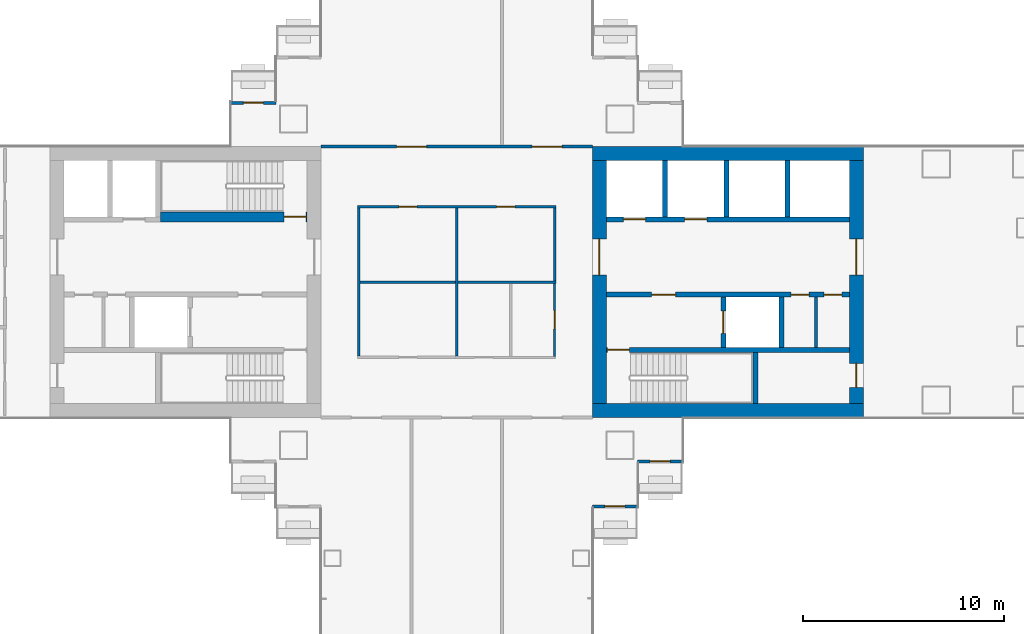
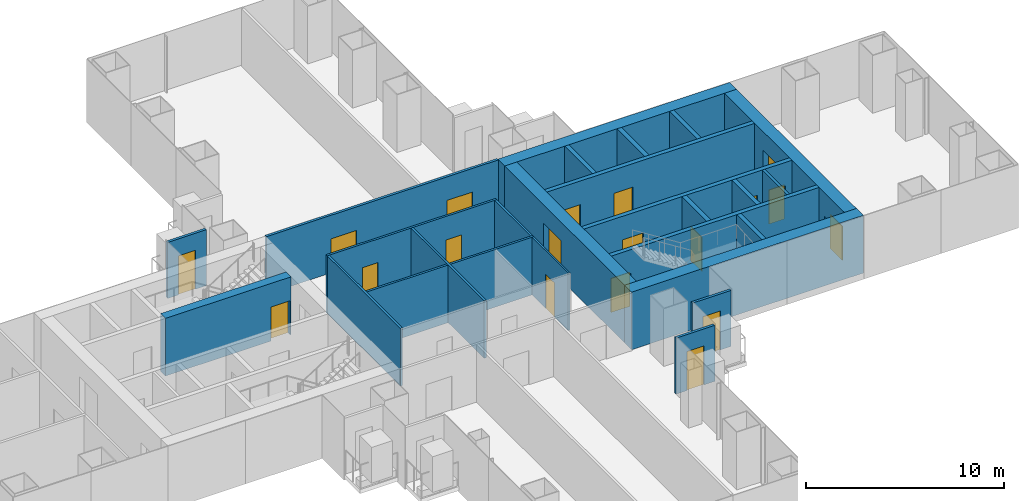
# One storey, part 14 of 21: 25 walls, 19 doors, 19 openings.
"""IFC4 building model written with IfcOpenShell, lengths in metres."""

from ifc_helpers import new_model, si_unit, direction, frame, frame_2d, origin, place, context, subcontext, project, spatial, rectangle, extrude, material, layer, layer_set, type_object, element, fill, save


model = new_model("IFC4")

# Units and contexts
model_context = context("Model", 3, precision=1e-05, world=origin(), true_north=direction((0.0, 1.0)))
body_context = subcontext(model_context, "Body", "Model", "MODEL_VIEW")
ifc_project = project(units=[si_unit("LENGTHUNIT", "METRE"), si_unit("AREAUNIT", "SQUARE_METRE"), si_unit("VOLUMEUNIT", "CUBIC_METRE"), si_unit("PLANEANGLEUNIT", "RADIAN"), si_unit("MASSUNIT", "GRAM", prefix="KILO")], contexts=[model_context])

# Site, building, storey
site_placement = place(None, origin())
site = spatial("IfcSite", under=ifc_project, at=site_placement, CompositionType="ELEMENT")
building_placement = place(site_placement, origin())
building = spatial("IfcBuilding", under=site, at=building_placement, Name="Shamsa Quay Exchange Towers", CompositionType="ELEMENT")
storey_placement = place(building_placement, frame((0.0, 0.0, 45.89990234375)))
storey = spatial("IfcBuildingStorey", under=building, at=storey_placement, Name="L09", CompositionType="ELEMENT", Elevation=45.89990234375)

# Wall, opening, door
ifc_material_1 = material(Name="Aluminium EN AW-6063 T6, black anodised, with black enamelled glass infill", Category="aluminium")
ifc_layer_1 = layer(ifc_material_1, 0.14990234375)
ifc_layer_set_1 = layer_set([ifc_layer_1], Name="BALCONY DOOR BAY WALL 150")
wall_type_1 = type_object("IfcWallType", Name="BALCONY DOOR BAY WALL 150", PredefinedType="SOLIDWALL", material=ifc_layer_set_1)
wall_1_placement = place(storey_placement, frame((-22.5, -8.925048828125, 0.0), z_axis=(0.0, 0.0, 1.0), x_axis=(-1.0, 0.0, 0.0)))
wall_1 = element("IfcWall", 1, at=wall_1_placement, inside=storey, type_object=wall_type_1, Name="Door bay T1-PKES L09", PredefinedType="SOLIDWALL", context=body_context, shape_type="SweptSolid", body=[
    extrude(rectangle(XDim=2.25, YDim=0.14990234375, at=frame_2d((1.125, 0.0))), origin(), (0.0, 0.0, 1.0), 3.4501953125),
])
opening_1_placement = place(wall_1_placement, frame((0.625, 0.0, 0.0)))
opening_1 = element("IfcOpeningElement", 2, at=opening_1_placement, cuts=wall_1, Name="Opening XD051", PredefinedType="OPENING", context=body_context, shape_type="SweptSolid", body=[
    extrude(rectangle(XDim=1.0, YDim=2.39990234375, at=frame_2d((0.5, 1.199951171875))), frame((0.0, 0.0849609375, 0.0), z_axis=(0.0, -1.0, 0.0), x_axis=(1.0, 0.0, 0.0)), (0.0, 0.0, 1.0), 0.169921875),
])
ifc_material_2 = material(Name="Aluminium EN AW-6063 T6, black anodised, with laminated glass leaf", Category="aluminium")
door_type_1 = type_object("IfcDoorType", Name="BALCONY DOOR 1000x2400", OperationType="SINGLE_SWING_LEFT", PredefinedType="DOOR", material=ifc_material_2)
door_1_placement = place(opening_1_placement, origin())
door_1 = element("IfcDoor", 3, at=door_1_placement, inside=storey, type_object=door_type_1, Name="Balcony door T1-PKES L09", OperationType="SINGLE_SWING_RIGHT", OverallHeight=2.39990234375, OverallWidth=1.0, PredefinedType="DOOR", context=body_context, shape_type="SweptSolid", body=[
    extrude(rectangle(XDim=1.0, YDim=2.39990234375, at=frame_2d((0.5, 1.199951171875))), frame((0.0, 0.02490234375, 0.0), z_axis=(0.0, -1.0, 0.0), x_axis=(1.0, 0.0, 0.0)), (0.0, 0.0, 1.0), 0.050048828125),
])
fill(opening_1, door_1)

wall_2_placement = place(storey_placement, frame((-24.75, -11.175048828125, 0.0), z_axis=(0.0, 0.0, 1.0), x_axis=(-1.0, 0.0, 0.0)))
wall_2 = element("IfcWall", 4, at=wall_2_placement, inside=storey, type_object=wall_type_1, Name="Door bay T1-PKES L09", PredefinedType="SOLIDWALL", context=body_context, shape_type="SweptSolid", body=[
    extrude(rectangle(XDim=2.25, YDim=0.14990234375, at=frame_2d((1.125, 0.0))), origin(), (0.0, 0.0, 1.0), 3.4501953125),
])
opening_2_placement = place(wall_2_placement, frame((0.625, 0.0, 0.0)))
opening_2 = element("IfcOpeningElement", 5, at=opening_2_placement, cuts=wall_2, Name="Opening XD052", PredefinedType="OPENING", context=body_context, shape_type="SweptSolid", body=[
    extrude(rectangle(XDim=1.0, YDim=2.39990234375, at=frame_2d((0.5, 1.199951171875))), frame((0.0, 0.0849609375, 0.0), z_axis=(0.0, -1.0, 0.0), x_axis=(1.0, 0.0, 0.0)), (0.0, 0.0, 1.0), 0.169921875),
])
door_2_placement = place(opening_2_placement, origin())
door_2 = element("IfcDoor", 6, at=door_2_placement, inside=storey, type_object=door_type_1, Name="Balcony door T1-PKES L09", OperationType="SINGLE_SWING_LEFT", OverallHeight=2.39990234375, OverallWidth=1.0, PredefinedType="DOOR", context=body_context, shape_type="SweptSolid", body=[
    extrude(rectangle(XDim=1.0, YDim=2.39990234375, at=frame_2d((0.5, 1.199951171875))), frame((0.0, 0.02490234375, 0.0), z_axis=(0.0, -1.0, 0.0), x_axis=(1.0, 0.0, 0.0)), (0.0, 0.0, 1.0), 0.050048828125),
])
fill(opening_2, door_2)

wall_3_placement = place(storey_placement, frame((-45.0, 8.925048828125, 0.0)))
wall_3 = element("IfcWall", 7, at=wall_3_placement, inside=storey, type_object=wall_type_1, Name="Door bay T1-PKWN L09", PredefinedType="SOLIDWALL", context=body_context, shape_type="SweptSolid", body=[
    extrude(rectangle(XDim=2.25, YDim=0.14990234375, at=frame_2d((1.125, 0.0))), origin(), (0.0, 0.0, 1.0), 3.4501953125),
])
opening_3_placement = place(wall_3_placement, frame((0.625, 0.0, 0.0)))
opening_3 = element("IfcOpeningElement", 8, at=opening_3_placement, cuts=wall_3, Name="Opening XD054", PredefinedType="OPENING", context=body_context, shape_type="SweptSolid", body=[
    extrude(rectangle(XDim=1.0, YDim=2.39990234375, at=frame_2d((0.5, 1.199951171875))), frame((0.0, 0.0849609375, 0.0), z_axis=(0.0, -1.0, 0.0), x_axis=(1.0, 0.0, 0.0)), (0.0, 0.0, 1.0), 0.169921875),
])
door_3_placement = place(opening_3_placement, origin())
door_3 = element("IfcDoor", 9, at=door_3_placement, inside=storey, type_object=door_type_1, Name="Balcony door T1-PKWN L09", OperationType="SINGLE_SWING_RIGHT", OverallHeight=2.39990234375, OverallWidth=1.0, PredefinedType="DOOR", context=body_context, shape_type="SweptSolid", body=[
    extrude(rectangle(XDim=1.0, YDim=2.39990234375, at=frame_2d((0.5, 1.199951171875))), frame((0.0, 0.02490234375, 0.0), z_axis=(0.0, -1.0, 0.0), x_axis=(1.0, 0.0, 0.0)), (0.0, 0.0, 1.0), 0.050048828125),
])
fill(opening_3, door_3)

# Walls
ifc_material_3 = material(Name="Concrete C80/95", Category="concrete")
ifc_layer_2 = layer(ifc_material_3, 0.699951171875)
ifc_layer_set_2 = layer_set([ifc_layer_2], Name="CORE WALL 700 C80/95")
wall_type_2 = type_object("IfcWallType", Name="CORE WALL 700 C80/95", PredefinedType="SHEAR", material=ifc_layer_set_2)
for number, where, name in (
    (10, (-27.0, -6.39990234375, 0.0), "Core wall T1A-R03-PS"),
    (11, (-27.0, 6.39990234375, 0.0), "Core wall T1A-R03-PN"),
):
    element("IfcWall", number, at=place(storey_placement, frame(where)), inside=storey, type_object=wall_type_2, Name=name, PredefinedType="SHEAR", context=body_context, shape_type="SweptSolid", body=[
        extrude(rectangle(XDim=13.5, YDim=0.699951171875, at=frame_2d((6.75, 0.0))), origin(), (0.0, 0.0, 1.0), 3.550048828125),
    ])

# Wall, opening, door
wall_4_placement = place(storey_placement, frame((-26.64990234375, 6.050048828125, 0.0), z_axis=(0.0, 0.0, 1.0), x_axis=(0.0, -1.0, 0.0)))
wall_4 = element("IfcWall", 12, at=wall_4_placement, inside=storey, type_object=wall_type_2, Name="Core wall T1A-R03-PF", PredefinedType="SHEAR", context=body_context, shape_type="SweptSolid", body=[
    extrude(rectangle(XDim=12.10009765625, YDim=0.699951171875, at=frame_2d((6.050048828125, 0.0))), origin(), (0.0, 0.0, 1.0), 3.550048828125),
])
opening_4_placement = place(wall_4_placement, frame((3.89990234375, 0.0, 0.0)))
opening_4 = element("IfcOpeningElement", 13, at=opening_4_placement, cuts=wall_4, Name="Opening T1A-R03-LBD01", PredefinedType="OPENING", context=body_context, shape_type="SweptSolid", body=[
    extrude(rectangle(XDim=1.800048828125, YDim=2.39990234375, at=frame_2d((0.89990234375, 1.199951171875))), frame((0.0, 0.35986328125, 0.0), z_axis=(0.0, -1.0, 0.0), x_axis=(1.0, 0.0, 0.0)), (0.0, 0.0, 1.0), 0.719970703125),
])
ifc_material_4 = material(Name="Steel, fire rated", Category="steel")
door_type_2 = type_object("IfcDoorType", Name="LIFT LOBBY DOOR PAIR 1800", OperationType="DOUBLE_DOOR_SINGLE_SWING", PredefinedType="DOOR", material=ifc_material_4)
door_4_placement = place(opening_4_placement, origin())
door_4 = element("IfcDoor", 14, at=door_4_placement, inside=storey, type_object=door_type_2, Name="T1A-R03-LBD01", OperationType="DOUBLE_DOOR_SINGLE_SWING", OverallHeight=2.39990234375, OverallWidth=1.800048828125, PredefinedType="DOOR", context=body_context, shape_type="SweptSolid", body=[
    extrude(rectangle(XDim=1.800048828125, YDim=2.39990234375, at=frame_2d((0.89990234375, 1.199951171875))), frame((0.0, 0.02490234375, 0.0), z_axis=(0.0, -1.0, 0.0), x_axis=(1.0, 0.0, 0.0)), (0.0, 0.0, 1.0), 0.050048828125),
])
fill(opening_4, door_4)

# Wall, openings, doors
wall_5_placement = place(storey_placement, frame((-13.85009765625, 6.050048828125, 0.0), z_axis=(0.0, 0.0, 1.0), x_axis=(0.0, -1.0, 0.0)))
wall_5 = element("IfcWall", 15, at=wall_5_placement, inside=storey, type_object=wall_type_2, Name="Core wall T1A-R03-PB", PredefinedType="SHEAR", context=body_context, shape_type="SweptSolid", body=[
    extrude(rectangle(XDim=12.10009765625, YDim=0.699951171875, at=frame_2d((6.050048828125, 0.0))), origin(), (0.0, 0.0, 1.0), 3.550048828125),
])
opening_5_placement = place(wall_5_placement, frame((10.10009765625, 0.0, 0.0)))
opening_5 = element("IfcOpeningElement", 16, at=opening_5_placement, cuts=wall_5, Name="Opening T1A-R03-RD02", PredefinedType="OPENING", context=body_context, shape_type="SweptSolid", body=[
    extrude(rectangle(XDim=1.199951171875, YDim=2.10009765625, at=frame_2d((0.60009765625, 1.050048828125))), frame((0.0, 0.35986328125, 0.0), z_axis=(0.0, -1.0, 0.0), x_axis=(1.0, 0.0, 0.0)), (0.0, 0.0, 1.0), 0.719970703125),
])
opening_6_placement = place(wall_5_placement, frame((3.89990234375, 0.0, 0.0)))
opening_6 = element("IfcOpeningElement", 17, at=opening_6_placement, cuts=wall_5, Name="Opening T1A-R03-LBD03", PredefinedType="OPENING", context=body_context, shape_type="SweptSolid", body=[
    extrude(rectangle(XDim=1.800048828125, YDim=2.39990234375, at=frame_2d((0.89990234375, 1.199951171875))), frame((0.0, 0.35986328125, 0.0), z_axis=(0.0, -1.0, 0.0), x_axis=(1.0, 0.0, 0.0)), (0.0, 0.0, 1.0), 0.719970703125),
])
door_5_placement = place(opening_6_placement, origin())
door_5 = element("IfcDoor", 18, at=door_5_placement, inside=storey, type_object=door_type_2, Name="T1A-R03-LBD03", OperationType="DOUBLE_DOOR_SINGLE_SWING", OverallHeight=2.39990234375, OverallWidth=1.800048828125, PredefinedType="DOOR", context=body_context, shape_type="SweptSolid", body=[
    extrude(rectangle(XDim=1.800048828125, YDim=2.39990234375, at=frame_2d((0.89990234375, 1.199951171875))), frame((0.0, 0.02490234375, 0.0), z_axis=(0.0, -1.0, 0.0), x_axis=(1.0, 0.0, 0.0)), (0.0, 0.0, 1.0), 0.050048828125),
])
fill(opening_6, door_5)
door_type_3 = type_object("IfcDoorType", Name="RISER ACCESS DOOR 1200", OperationType="SINGLE_SWING_LEFT", PredefinedType="DOOR", material=ifc_material_4)
door_6_placement = place(opening_5_placement, origin())
door_6 = element("IfcDoor", 19, at=door_6_placement, inside=storey, type_object=door_type_3, Name="T1A-R03-RD02", OperationType="SINGLE_SWING_RIGHT", OverallHeight=2.10009765625, OverallWidth=1.199951171875, PredefinedType="DOOR", context=body_context, shape_type="SweptSolid", body=[
    extrude(rectangle(XDim=1.199951171875, YDim=2.10009765625, at=frame_2d((0.60009765625, 1.050048828125))), frame((0.0, 0.02490234375, 0.0), z_axis=(0.0, -1.0, 0.0), x_axis=(1.0, 0.0, 0.0)), (0.0, 0.0, 1.0), 0.050048828125),
])
fill(opening_5, door_6)

# Walls
ifc_material_5 = material(Name="Gypsum board on steel studs, EI 60", Category="steel")
ifc_layer_3 = layer(ifc_material_5, 0.14990234375)
ifc_layer_set_3 = layer_set([ifc_layer_3], Name="FIRE PARTITION 150")
wall_type_3 = type_object("IfcWallType", Name="FIRE PARTITION 150", PredefinedType="PARTITIONING", material=ifc_layer_set_3)
wall_6_placement = place(storey_placement, frame((-15.85009765625, -3.25, 0.0), z_axis=(0.0, 0.0, 1.0), x_axis=(0.0, 1.0, 0.0)))
element("IfcWall", 20, at=wall_6_placement, inside=storey, type_object=wall_type_3, Name="Partition T1A-R03-EC0", PredefinedType="PARTITIONING", context=body_context, shape_type="SweptSolid", body=[
    extrude(rectangle(XDim=2.5, YDim=0.14990234375, at=frame_2d((1.25, 0.0))), origin(), (0.0, 0.0, 1.0), 3.550048828125),
])
ifc_material_6 = material(Name="Laminated fire-resisting glass in a metal frame", Category="glass")
ifc_layer_4 = layer(ifc_material_6, 0.125)
ifc_layer_set_4 = layer_set([ifc_layer_4], Name="Glazed partition 125 mm EI 60")
wall_type_4 = type_object("IfcWallType", Name="Glazed partition 125 mm EI 60", PredefinedType="PARTITIONING", material=ifc_layer_set_4)
wall_7_placement = place(storey_placement, frame((-28.875, 0.0625, 0.0), z_axis=(0.0, 0.0, 1.0), x_axis=(0.0, 1.0, 0.0)))
element("IfcWall", 21, at=wall_7_placement, inside=storey, type_object=wall_type_4, Name="Partition T1-R03-W01", PredefinedType="PARTITIONING", context=body_context, shape_type="SweptSolid", body=[
    extrude(rectangle(XDim=3.625, YDim=0.125, at=frame_2d((1.8125, 0.0))), origin(), (0.0, 0.0, 1.0), 3.550048828125),
])

# Wall, openings, doors
wall_8_placement = place(storey_placement, frame((-28.8125, 3.75, 0.0), z_axis=(0.0, 0.0, 1.0), x_axis=(-1.0, 0.0, 0.0)))
wall_8 = element("IfcWall", 22, at=wall_8_placement, inside=storey, type_object=wall_type_4, Name="Partition T1-R03-W02", PredefinedType="PARTITIONING", context=body_context, shape_type="SweptSolid", body=[
    extrude(rectangle(XDim=9.875, YDim=0.125, at=frame_2d((4.9375, 0.0))), origin(), (0.0, 0.0, 1.0), 3.550048828125),
])
opening_7_placement = place(wall_8_placement, frame((2.050048828125, 0.0, 0.0)))
opening_7 = element("IfcOpeningElement", 23, at=opening_7_placement, cuts=wall_8, Name="Opening T1-R03-D09", PredefinedType="OPENING", context=body_context, shape_type="SweptSolid", body=[
    extrude(rectangle(XDim=0.89990234375, YDim=2.10009765625, at=frame_2d((0.449951171875, 1.050048828125))), frame((0.0, 0.072509765625, 0.0), z_axis=(0.0, -1.0, 0.0), x_axis=(1.0, 0.0, 0.0)), (0.0, 0.0, 1.0), 0.14501953125),
])
opening_8_placement = place(wall_8_placement, frame((6.925048828125, 0.0, 0.0)))
opening_8 = element("IfcOpeningElement", 24, at=opening_8_placement, cuts=wall_8, Name="Opening T1-R03-D10", PredefinedType="OPENING", context=body_context, shape_type="SweptSolid", body=[
    extrude(rectangle(XDim=0.89990234375, YDim=2.10009765625, at=frame_2d((0.449951171875, 1.050048828125))), frame((0.0, 0.072509765625, 0.0), z_axis=(0.0, -1.0, 0.0), x_axis=(1.0, 0.0, 0.0)), (0.0, 0.0, 1.0), 0.14501953125),
])
ifc_material_7 = material(Name="Timber door leaf in a metal frame", Category="wood")
door_type_4 = type_object("IfcDoorType", Name="Door 900x2100 FD30S", OperationType="NOTDEFINED", PredefinedType="DOOR", material=ifc_material_7)
door_7_placement = place(opening_7_placement, origin())
door_7 = element("IfcDoor", 25, at=door_7_placement, inside=storey, type_object=door_type_4, Name="Door T1-R03-D09", OperationType="SINGLE_SWING_RIGHT", OverallHeight=2.10009765625, OverallWidth=0.89990234375, PredefinedType="DOOR", context=body_context, shape_type="SweptSolid", body=[
    extrude(rectangle(XDim=0.89990234375, YDim=2.10009765625, at=frame_2d((0.449951171875, 1.050048828125))), frame((0.0, 0.02490234375, 0.0), z_axis=(0.0, -1.0, 0.0), x_axis=(1.0, 0.0, 0.0)), (0.0, 0.0, 1.0), 0.050048828125),
])
fill(opening_7, door_7)
door_8_placement = place(opening_8_placement, origin())
door_8 = element("IfcDoor", 26, at=door_8_placement, inside=storey, type_object=door_type_4, Name="Door T1-R03-D10", OperationType="SINGLE_SWING_RIGHT", OverallHeight=2.10009765625, OverallWidth=0.89990234375, PredefinedType="DOOR", context=body_context, shape_type="SweptSolid", body=[
    extrude(rectangle(XDim=0.89990234375, YDim=2.10009765625, at=frame_2d((0.449951171875, 1.050048828125))), frame((0.0, 0.02490234375, 0.0), z_axis=(0.0, -1.0, 0.0), x_axis=(1.0, 0.0, 0.0)), (0.0, 0.0, 1.0), 0.050048828125),
])
fill(opening_8, door_8)

# Walls
wall_9_placement = place(storey_placement, frame((-38.625, 3.6875, 0.0), z_axis=(0.0, 0.0, 1.0), x_axis=(0.0, -1.0, 0.0)))
element("IfcWall", 27, at=wall_9_placement, inside=storey, type_object=wall_type_4, Name="Partition T1-R03-W05", PredefinedType="PARTITIONING", context=body_context, shape_type="SweptSolid", body=[
    extrude(rectangle(XDim=7.375, YDim=0.125, at=frame_2d((3.6875, 0.0))), origin(), (0.0, 0.0, 1.0), 3.550048828125),
])
wall_10_placement = place(storey_placement, frame((-38.5625, 0.0, 0.0)))
element("IfcWall", 28, at=wall_10_placement, inside=storey, type_object=wall_type_4, Name="Partition T1-R03-W11", PredefinedType="PARTITIONING", context=body_context, shape_type="SweptSolid", body=[
    extrude(rectangle(XDim=9.75, YDim=0.125, at=frame_2d((4.875, 0.0))), origin(), (0.0, 0.0, 1.0), 3.550048828125),
])
wall_11_placement = place(storey_placement, frame((-33.75, 3.6875, 0.0), z_axis=(0.0, 0.0, 1.0), x_axis=(0.0, -1.0, 0.0)))
element("IfcWall", 29, at=wall_11_placement, inside=storey, type_object=wall_type_4, Name="Partition T1-R03-W12", PredefinedType="PARTITIONING", context=body_context, shape_type="SweptSolid", body=[
    extrude(rectangle(XDim=7.375, YDim=0.125, at=frame_2d((3.6875, 0.0))), origin(), (0.0, 0.0, 1.0), 3.550048828125),
])

# Wall, opening, door
ifc_material_8 = material(Name="Gypsum board partition on metal studs")
ifc_layer_5 = layer(ifc_material_8, 0.10009765625)
ifc_layer_set_5 = layer_set([ifc_layer_5], Name="Partition 100 mm NOT RATED")
wall_type_5 = type_object("IfcWallType", Name="Partition 100 mm NOT RATED", PredefinedType="PARTITIONING", material=ifc_layer_set_5)
wall_12_placement = place(storey_placement, frame((-28.875, -3.699951171875, 0.0), z_axis=(0.0, 0.0, 1.0), x_axis=(0.0, 1.0, 0.0)))
wall_12 = element("IfcWall", 30, at=wall_12_placement, inside=storey, type_object=wall_type_5, Name="Partition T1-R03-W04", PredefinedType="PARTITIONING", context=body_context, shape_type="SweptSolid", body=[
    extrude(rectangle(XDim=3.637451171875, YDim=0.10009765625, at=frame_2d((1.81884765625, 0.0))), origin(), (0.0, 0.0, 1.0), 3.550048828125),
])
opening_9_placement = place(wall_12_placement, frame((1.375, 0.0, 0.0)))
opening_9 = element("IfcOpeningElement", 31, at=opening_9_placement, cuts=wall_12, Name="Opening T1-R03-D08", PredefinedType="OPENING", context=body_context, shape_type="SweptSolid", body=[
    extrude(rectangle(XDim=0.89990234375, YDim=2.10009765625, at=frame_2d((0.449951171875, 1.050048828125))), frame((0.0, 0.06005859375, 0.0), z_axis=(0.0, -1.0, 0.0), x_axis=(1.0, 0.0, 0.0)), (0.0, 0.0, 1.0), 0.1201171875),
])
door_type_5 = type_object("IfcDoorType", Name="Door 900x2100 NOT RATED", OperationType="NOTDEFINED", PredefinedType="DOOR", material=ifc_material_7)
door_9_placement = place(opening_9_placement, origin())
door_9 = element("IfcDoor", 32, at=door_9_placement, inside=storey, type_object=door_type_5, Name="Door T1-R03-D08", OperationType="SINGLE_SWING_LEFT", OverallHeight=2.10009765625, OverallWidth=0.89990234375, PredefinedType="DOOR", context=body_context, shape_type="SweptSolid", body=[
    extrude(rectangle(XDim=0.89990234375, YDim=2.10009765625, at=frame_2d((0.449951171875, 1.050048828125))), frame((0.0, 0.02490234375, 0.0), z_axis=(0.0, -1.0, 0.0), x_axis=(1.0, 0.0, 0.0)), (0.0, 0.0, 1.0), 0.050048828125),
])
fill(opening_9, door_9)

# Wall, openings, doors
ifc_layer_6 = layer(ifc_material_8, 0.14990234375)
ifc_layer_set_6 = layer_set([ifc_layer_6], Name="Partition 150 mm EI 60")
wall_type_6 = type_object("IfcWallType", Name="Partition 150 mm EI 60", PredefinedType="PARTITIONING", material=ifc_layer_set_6)
wall_13_placement = place(storey_placement, frame((-40.5, 6.75, 0.0)))
wall_13 = element("IfcWall", 33, at=wall_13_placement, inside=storey, type_object=wall_type_6, Name="Partition T1-R03-W07", PredefinedType="PARTITIONING", context=body_context, shape_type="SweptSolid", body=[
    extrude(rectangle(XDim=13.5, YDim=0.14990234375, at=frame_2d((6.75, 0.0))), origin(), (0.0, 0.0, 1.0), 3.550048828125),
])
opening_10_placement = place(wall_13_placement, frame((3.75, 0.0, 0.0)))
opening_10 = element("IfcOpeningElement", 34, at=opening_10_placement, cuts=wall_13, Name="Opening T1-R03-D04", PredefinedType="OPENING", context=body_context, shape_type="SweptSolid", body=[
    extrude(rectangle(XDim=1.5, YDim=2.10009765625, at=frame_2d((0.75, 1.050048828125))), frame((0.0, 0.0849609375, 0.0), z_axis=(0.0, -1.0, 0.0), x_axis=(1.0, 0.0, 0.0)), (0.0, 0.0, 1.0), 0.169921875),
])
opening_11_placement = place(wall_13_placement, frame((10.5, 0.0, 0.0)))
opening_11 = element("IfcOpeningElement", 35, at=opening_11_placement, cuts=wall_13, Name="Opening T1-R03-D05", PredefinedType="OPENING", context=body_context, shape_type="SweptSolid", body=[
    extrude(rectangle(XDim=1.5, YDim=2.10009765625, at=frame_2d((0.75, 1.050048828125))), frame((0.0, 0.0849609375, 0.0), z_axis=(0.0, -1.0, 0.0), x_axis=(1.0, 0.0, 0.0)), (0.0, 0.0, 1.0), 0.169921875),
])
door_type_6 = type_object("IfcDoorType", Name="Door 1500x2100 FD30S pair", OperationType="NOTDEFINED", PredefinedType="DOOR", material=ifc_material_7)
door_10_placement = place(opening_10_placement, origin())
door_10 = element("IfcDoor", 36, at=door_10_placement, inside=storey, type_object=door_type_6, Name="Door T1-R03-D04", OperationType="DOUBLE_DOOR_SINGLE_SWING", OverallHeight=2.10009765625, OverallWidth=1.5, PredefinedType="DOOR", context=body_context, shape_type="SweptSolid", body=[
    extrude(rectangle(XDim=1.5, YDim=2.10009765625, at=frame_2d((0.75, 1.050048828125))), frame((0.0, 0.02490234375, 0.0), z_axis=(0.0, -1.0, 0.0), x_axis=(1.0, 0.0, 0.0)), (0.0, 0.0, 1.0), 0.050048828125),
])
fill(opening_10, door_10)
door_11_placement = place(opening_11_placement, origin())
door_11 = element("IfcDoor", 37, at=door_11_placement, inside=storey, type_object=door_type_6, Name="Door T1-R03-D05", OperationType="DOUBLE_DOOR_SINGLE_SWING", OverallHeight=2.10009765625, OverallWidth=1.5, PredefinedType="DOOR", context=body_context, shape_type="SweptSolid", body=[
    extrude(rectangle(XDim=1.5, YDim=2.10009765625, at=frame_2d((0.75, 1.050048828125))), frame((0.0, 0.02490234375, 0.0), z_axis=(0.0, -1.0, 0.0), x_axis=(1.0, 0.0, 0.0)), (0.0, 0.0, 1.0), 0.050048828125),
])
fill(opening_11, door_11)

# Wall, opening, door
ifc_material_9 = material(Name="Concrete C50/60", Category="concrete")
ifc_layer_7 = layer(ifc_material_9, 0.25)
ifc_layer_set_7 = layer_set([ifc_layer_7], Name="SHAFT WALL 250 C50/60")
wall_type_7 = type_object("IfcWallType", Name="SHAFT WALL 250 C50/60", PredefinedType="SHEAR", material=ifc_layer_set_7)
wall_14_placement = place(storey_placement, frame((-14.199951171875, -3.375, 0.0), z_axis=(0.0, 0.0, 1.0), x_axis=(-1.0, 0.0, 0.0)))
wall_14 = element("IfcWall", 38, at=wall_14_placement, inside=storey, type_object=wall_type_7, Name="Shaft wall T1A-R03-STL", PredefinedType="SHEAR", context=body_context, shape_type="SweptSolid", body=[
    extrude(rectangle(XDim=12.10009765625, YDim=0.25, at=frame_2d((6.050048828125, 0.0))), origin(), (0.0, 0.0, 1.0), 3.550048828125),
])
opening_12_placement = place(wall_14_placement, frame((10.949951171875, 0.0, 0.0)))
opening_12 = element("IfcOpeningElement", 39, at=opening_12_placement, cuts=wall_14, Name="Opening T1A-R03-SD04", PredefinedType="OPENING", context=body_context, shape_type="SweptSolid", body=[
    extrude(rectangle(XDim=1.10009765625, YDim=2.10009765625, at=frame_2d((0.550048828125, 1.050048828125))), frame((0.0, 0.135009765625, 0.0), z_axis=(0.0, -1.0, 0.0), x_axis=(1.0, 0.0, 0.0)), (0.0, 0.0, 1.0), 0.27001953125),
])
door_type_7 = type_object("IfcDoorType", Name="STAIR DOOR 1100", OperationType="SINGLE_SWING_LEFT", PredefinedType="DOOR", material=ifc_material_4)
door_12_placement = place(opening_12_placement, origin())
door_12 = element("IfcDoor", 40, at=door_12_placement, inside=storey, type_object=door_type_7, Name="T1A-R03-SD04", OperationType="SINGLE_SWING_RIGHT", OverallHeight=2.10009765625, OverallWidth=1.10009765625, PredefinedType="DOOR", context=body_context, shape_type="SweptSolid", body=[
    extrude(rectangle(XDim=1.10009765625, YDim=2.10009765625, at=frame_2d((0.550048828125, 1.050048828125))), frame((0.0, 0.02490234375, 0.0), z_axis=(0.0, -1.0, 0.0), x_axis=(1.0, 0.0, 0.0)), (0.0, 0.0, 1.0), 0.050048828125),
])
fill(opening_12, door_12)

# Wall
wall_15_placement = place(storey_placement, frame((-18.875, -6.050048828125, 0.0), z_axis=(0.0, 0.0, 1.0), x_axis=(0.0, 1.0, 0.0)))
element("IfcWall", 41, at=wall_15_placement, inside=storey, type_object=wall_type_7, Name="Shaft wall T1A-R03-STF", PredefinedType="SHEAR", context=body_context, shape_type="SweptSolid", body=[
    extrude(rectangle(XDim=2.550048828125, YDim=0.25, at=frame_2d((1.27490234375, 0.0))), origin(), (0.0, 0.0, 1.0), 3.550048828125),
])

# Wall, openings, doors
wall_16_placement = place(storey_placement, frame((-14.199951171875, -0.625, 0.0), z_axis=(0.0, 0.0, 1.0), x_axis=(-1.0, 0.0, 0.0)))
wall_16 = element("IfcWall", 42, at=wall_16_placement, inside=storey, type_object=wall_type_7, Name="Shaft wall T1A-R03-B", PredefinedType="SHEAR", context=body_context, shape_type="SweptSolid", body=[
    extrude(rectangle(XDim=12.10009765625, YDim=0.25, at=frame_2d((6.050048828125, 0.0))), origin(), (0.0, 0.0, 1.0), 3.550048828125),
])
opening_13_placement = place(wall_16_placement, frame((8.64990234375, 0.0, 0.0)))
opening_13 = element("IfcOpeningElement", 43, at=opening_13_placement, cuts=wall_16, Name="Opening T1A-R03-FD05", PredefinedType="OPENING", context=body_context, shape_type="SweptSolid", body=[
    extrude(rectangle(XDim=1.199951171875, YDim=2.10009765625, at=frame_2d((0.60009765625, 1.050048828125))), frame((0.0, 0.135009765625, 0.0), z_axis=(0.0, -1.0, 0.0), x_axis=(1.0, 0.0, 0.0)), (0.0, 0.0, 1.0), 0.27001953125),
])
opening_14_placement = place(wall_16_placement, frame((2.0, 0.0, 0.0)))
opening_14 = element("IfcOpeningElement", 44, at=opening_14_placement, cuts=wall_16, Name="Opening T1A-R03-SV06", PredefinedType="OPENING", context=body_context, shape_type="SweptSolid", body=[
    extrude(rectangle(XDim=0.89990234375, YDim=2.10009765625, at=frame_2d((0.449951171875, 1.050048828125))), frame((0.0, 0.135009765625, 0.0), z_axis=(0.0, -1.0, 0.0), x_axis=(1.0, 0.0, 0.0)), (0.0, 0.0, 1.0), 0.27001953125),
])
opening_15_placement = place(wall_16_placement, frame((0.375, 0.0, 0.0)))
opening_15 = element("IfcOpeningElement", 45, at=opening_15_placement, cuts=wall_16, Name="Opening T1A-R03-SV07", PredefinedType="OPENING", context=body_context, shape_type="SweptSolid", body=[
    extrude(rectangle(XDim=0.89990234375, YDim=2.10009765625, at=frame_2d((0.449951171875, 1.050048828125))), frame((0.0, 0.135009765625, 0.0), z_axis=(0.0, -1.0, 0.0), x_axis=(1.0, 0.0, 0.0)), (0.0, 0.0, 1.0), 0.27001953125),
])
door_type_8 = type_object("IfcDoorType", Name="FIRE SERVICE LOBBY DOOR 1200", OperationType="SINGLE_SWING_LEFT", PredefinedType="DOOR", material=ifc_material_4)
door_13_placement = place(opening_13_placement, origin())
door_13 = element("IfcDoor", 46, at=door_13_placement, inside=storey, type_object=door_type_8, Name="T1A-R03-FD05", OperationType="SINGLE_SWING_RIGHT", OverallHeight=2.10009765625, OverallWidth=1.199951171875, PredefinedType="DOOR", context=body_context, shape_type="SweptSolid", body=[
    extrude(rectangle(XDim=1.199951171875, YDim=2.10009765625, at=frame_2d((0.60009765625, 1.050048828125))), frame((0.0, 0.02490234375, 0.0), z_axis=(0.0, -1.0, 0.0), x_axis=(1.0, 0.0, 0.0)), (0.0, 0.0, 1.0), 0.050048828125),
])
fill(opening_13, door_13)
door_type_9 = type_object("IfcDoorType", Name="SERVICE ROOM DOOR 900", OperationType="SINGLE_SWING_LEFT", PredefinedType="DOOR", material=ifc_material_4)
door_14_placement = place(opening_14_placement, origin())
door_14 = element("IfcDoor", 47, at=door_14_placement, inside=storey, type_object=door_type_9, Name="T1A-R03-SV06", OperationType="SINGLE_SWING_LEFT", OverallHeight=2.10009765625, OverallWidth=0.89990234375, PredefinedType="DOOR", context=body_context, shape_type="SweptSolid", body=[
    extrude(rectangle(XDim=0.89990234375, YDim=2.10009765625, at=frame_2d((0.449951171875, 1.050048828125))), frame((0.0, 0.02490234375, 0.0), z_axis=(0.0, -1.0, 0.0), x_axis=(1.0, 0.0, 0.0)), (0.0, 0.0, 1.0), 0.050048828125),
])
fill(opening_14, door_14)
door_15_placement = place(opening_15_placement, origin())
door_15 = element("IfcDoor", 48, at=door_15_placement, inside=storey, type_object=door_type_9, Name="T1A-R03-SV07", OperationType="SINGLE_SWING_LEFT", OverallHeight=2.10009765625, OverallWidth=0.89990234375, PredefinedType="DOOR", context=body_context, shape_type="SweptSolid", body=[
    extrude(rectangle(XDim=0.89990234375, YDim=2.10009765625, at=frame_2d((0.449951171875, 1.050048828125))), frame((0.0, 0.02490234375, 0.0), z_axis=(0.0, -1.0, 0.0), x_axis=(1.0, 0.0, 0.0)), (0.0, 0.0, 1.0), 0.050048828125),
])
fill(opening_15, door_15)

# Wall, opening, door
wall_17_placement = place(storey_placement, frame((-20.47509765625, -3.25, 0.0), z_axis=(0.0, 0.0, 1.0), x_axis=(0.0, 1.0, 0.0)))
wall_17 = element("IfcWall", 49, at=wall_17_placement, inside=storey, type_object=wall_type_7, Name="Shaft wall T1A-R03-FFF", PredefinedType="SHEAR", context=body_context, shape_type="SweptSolid", body=[
    extrude(rectangle(XDim=2.5, YDim=0.25, at=frame_2d((1.25, 0.0))), origin(), (0.0, 0.0, 1.0), 3.550048828125),
])
opening_16_placement = place(wall_17_placement, frame((0.699951171875, 0.0, 0.0)))
opening_16 = element("IfcOpeningElement", 50, at=opening_16_placement, cuts=wall_17, Name="Opening T1A-R03-LDF08", PredefinedType="OPENING", context=body_context, shape_type="SweptSolid", body=[
    extrude(rectangle(XDim=1.10009765625, YDim=2.10009765625, at=frame_2d((0.550048828125, 1.050048828125))), frame((0.0, 0.135009765625, 0.0), z_axis=(0.0, -1.0, 0.0), x_axis=(1.0, 0.0, 0.0)), (0.0, 0.0, 1.0), 0.27001953125),
])
door_type_10 = type_object("IfcDoorType", Name="FIRE SERVICE LANDING DOOR 1100", OperationType="SLIDING_TO_LEFT", PredefinedType="DOOR", material=ifc_material_4)
door_16_placement = place(opening_16_placement, origin())
door_16 = element("IfcDoor", 51, at=door_16_placement, inside=storey, type_object=door_type_10, Name="T1A-R03-LDF08", OperationType="SLIDING_TO_LEFT", OverallHeight=2.10009765625, OverallWidth=1.10009765625, PredefinedType="DOOR", context=body_context, shape_type="SweptSolid", body=[
    extrude(rectangle(XDim=1.10009765625, YDim=2.10009765625, at=frame_2d((0.550048828125, 1.050048828125))), frame((0.0, 0.02490234375, 0.0), z_axis=(0.0, -1.0, 0.0), x_axis=(1.0, 0.0, 0.0)), (0.0, 0.0, 1.0), 0.050048828125),
])
fill(opening_16, door_16)

# Wall
wall_18_placement = place(storey_placement, frame((-17.574951171875, -3.25, 0.0), z_axis=(0.0, 0.0, 1.0), x_axis=(0.0, 1.0, 0.0)))
element("IfcWall", 52, at=wall_18_placement, inside=storey, type_object=wall_type_7, Name="Shaft wall T1A-R03-FFB", PredefinedType="SHEAR", context=body_context, shape_type="SweptSolid", body=[
    extrude(rectangle(XDim=2.5, YDim=0.25, at=frame_2d((1.25, 0.0))), origin(), (0.0, 0.0, 1.0), 3.550048828125),
])

# Wall, openings, doors
wall_19_placement = place(storey_placement, frame((-26.300048828125, 3.125, 0.0)))
wall_19 = element("IfcWall", 53, at=wall_19_placement, inside=storey, type_object=wall_type_7, Name="Shaft wall T1A-R03-N", PredefinedType="SHEAR", context=body_context, shape_type="SweptSolid", body=[
    extrude(rectangle(XDim=12.10009765625, YDim=0.25, at=frame_2d((6.050048828125, 0.0))), origin(), (0.0, 0.0, 1.0), 3.550048828125),
])
opening_17_placement = place(wall_19_placement, frame((0.85009765625, 0.0, 0.0)))
opening_17 = element("IfcOpeningElement", 54, at=opening_17_placement, cuts=wall_19, Name="Opening T1A-R03-LD09", PredefinedType="OPENING", context=body_context, shape_type="SweptSolid", body=[
    extrude(rectangle(XDim=1.10009765625, YDim=2.10009765625, at=frame_2d((0.550048828125, 1.050048828125))), frame((0.0, 0.135009765625, 0.0), z_axis=(0.0, -1.0, 0.0), x_axis=(1.0, 0.0, 0.0)), (0.0, 0.0, 1.0), 0.27001953125),
])
opening_18_placement = place(wall_19_placement, frame((3.89990234375, 0.0, 0.0)))
opening_18 = element("IfcOpeningElement", 55, at=opening_18_placement, cuts=wall_19, Name="Opening T1A-R03-LD10", PredefinedType="OPENING", context=body_context, shape_type="SweptSolid", body=[
    extrude(rectangle(XDim=1.10009765625, YDim=2.10009765625, at=frame_2d((0.550048828125, 1.050048828125))), frame((0.0, 0.135009765625, 0.0), z_axis=(0.0, -1.0, 0.0), x_axis=(1.0, 0.0, 0.0)), (0.0, 0.0, 1.0), 0.27001953125),
])
door_type_11 = type_object("IfcDoorType", Name="LANDING DOOR 1100", OperationType="SLIDING_TO_LEFT", PredefinedType="DOOR", material=ifc_material_4)
door_17_placement = place(opening_17_placement, origin())
door_17 = element("IfcDoor", 56, at=door_17_placement, inside=storey, type_object=door_type_11, Name="T1A-R03-LD09", OperationType="SLIDING_TO_LEFT", OverallHeight=2.10009765625, OverallWidth=1.10009765625, PredefinedType="DOOR", context=body_context, shape_type="SweptSolid", body=[
    extrude(rectangle(XDim=1.10009765625, YDim=2.10009765625, at=frame_2d((0.550048828125, 1.050048828125))), frame((0.0, 0.02490234375, 0.0), z_axis=(0.0, -1.0, 0.0), x_axis=(1.0, 0.0, 0.0)), (0.0, 0.0, 1.0), 0.050048828125),
])
fill(opening_17, door_17)
door_18_placement = place(opening_18_placement, origin())
door_18 = element("IfcDoor", 57, at=door_18_placement, inside=storey, type_object=door_type_11, Name="T1A-R03-LD10", OperationType="SLIDING_TO_LEFT", OverallHeight=2.10009765625, OverallWidth=1.10009765625, PredefinedType="DOOR", context=body_context, shape_type="SweptSolid", body=[
    extrude(rectangle(XDim=1.10009765625, YDim=2.10009765625, at=frame_2d((0.550048828125, 1.050048828125))), frame((0.0, 0.02490234375, 0.0), z_axis=(0.0, -1.0, 0.0), x_axis=(1.0, 0.0, 0.0)), (0.0, 0.0, 1.0), 0.050048828125),
])
fill(opening_18, door_18)

# Walls
for number, where, z_axis, x_axis, name in (
    (58, (-23.375, 3.25, 0.0), (0.0, 0.0, 1.0), (0.0, 1.0, 0.0), "Shaft wall T1A-R03-D0"),
    (59, (-20.324951171875, 3.25, 0.0), (0.0, 0.0, 1.0), (0.0, 1.0, 0.0), "Shaft wall T1A-R03-D1"),
    (60, (-17.27490234375, 3.25, 0.0), (0.0, 0.0, 1.0), (0.0, 1.0, 0.0), "Shaft wall T1A-R03-D2"),
):
    element("IfcWall", number, at=place(storey_placement, frame(where, z_axis=z_axis, x_axis=x_axis)), inside=storey, type_object=wall_type_7, Name=name, PredefinedType="SHEAR", context=body_context, shape_type="SweptSolid", body=[
        extrude(rectangle(XDim=2.800048828125, YDim=0.25, at=frame_2d((1.39990234375, 0.0))), origin(), (0.0, 0.0, 1.0), 3.550048828125),
    ])

# Wall, opening, door
ifc_layer_8 = layer(ifc_material_9, 0.5)
ifc_layer_set_8 = layer_set([ifc_layer_8], Name="SHAFT WALL 500 C50/60")
wall_type_8 = type_object("IfcWallType", Name="SHAFT WALL 500 C50/60", PredefinedType="SHEAR", material=ifc_layer_set_8)
wall_20_placement = place(storey_placement, frame((-48.5, 3.25, 0.0)))
wall_20 = element("IfcWall", 61, at=wall_20_placement, inside=storey, type_object=wall_type_8, Name="Shaft wall T1B-R03-N", PredefinedType="SHEAR", context=body_context, shape_type="SweptSolid", body=[
    extrude(rectangle(XDim=7.300048828125, YDim=0.5, at=frame_2d((3.64990234375, 0.0))), origin(), (0.0, 0.0, 1.0), 3.550048828125),
])
opening_19_placement = place(wall_20_placement, frame((6.14990234375, 0.0, 0.0)))
opening_19 = element("IfcOpeningElement", 62, at=opening_19_placement, cuts=wall_20, Name="Opening T1B-R03-SD09", PredefinedType="OPENING", context=body_context, shape_type="SweptSolid", body=[
    extrude(rectangle(XDim=1.10009765625, YDim=2.10009765625, at=frame_2d((0.550048828125, 1.050048828125))), frame((0.0, 0.260009765625, 0.0), z_axis=(0.0, -1.0, 0.0), x_axis=(1.0, 0.0, 0.0)), (0.0, 0.0, 1.0), 0.52001953125),
])
door_19_placement = place(opening_19_placement, origin())
door_19 = element("IfcDoor", 63, at=door_19_placement, inside=storey, type_object=door_type_7, Name="T1B-R03-SD09", OperationType="SINGLE_SWING_RIGHT", OverallHeight=2.10009765625, OverallWidth=1.10009765625, PredefinedType="DOOR", context=body_context, shape_type="SweptSolid", body=[
    extrude(rectangle(XDim=1.10009765625, YDim=2.10009765625, at=frame_2d((0.550048828125, 1.050048828125))), frame((0.0, 0.02490234375, 0.0), z_axis=(0.0, -1.0, 0.0), x_axis=(1.0, 0.0, 0.0)), (0.0, 0.0, 1.0), 0.050048828125),
])
fill(opening_19, door_19)

save(model, "model.ifc")
